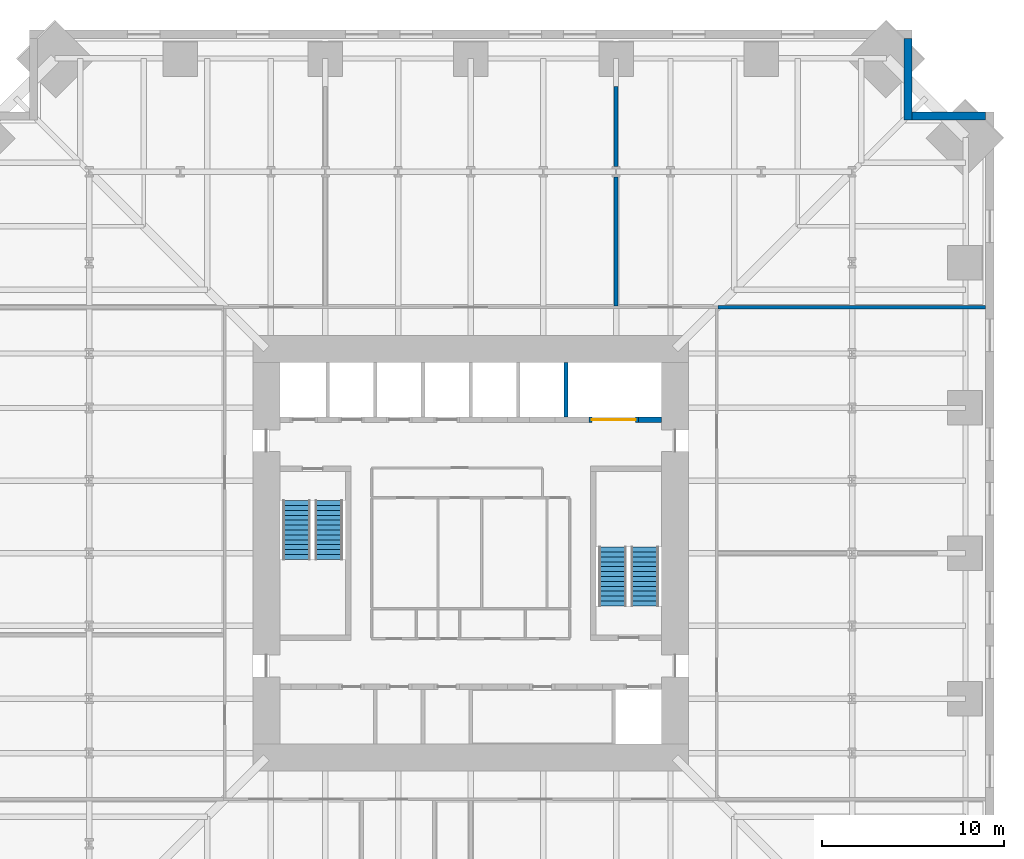
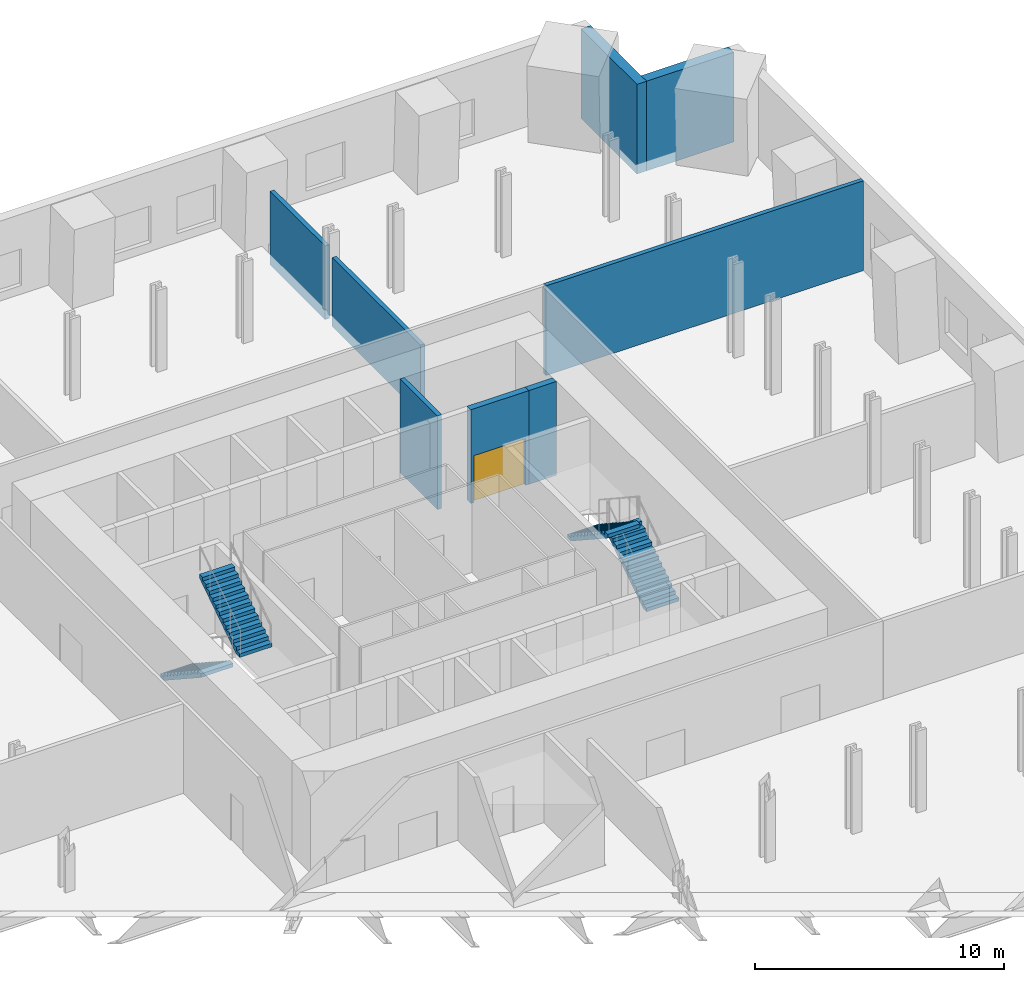
# One storey, part 7 of 8: 8 walls, 4 stair flights, 1 door, 1 opening, 2 elements without a shape of their own.
"""IFC4 building model written with IfcOpenShell, lengths in metres."""

from ifc_helpers import new_model, si_unit, direction, frame, frame_2d, origin, place, context, subcontext, project, spatial, polyline, rectangle, outline, extrude, material, layer, layer_set, type_object, element, fill, aggregate, save


model = new_model("IFC4")

# Units and contexts
model_context = context("Model", 3, precision=1e-05, world=origin(), true_north=direction((0.0, 1.0)))
body_context = subcontext(model_context, "Body", "Model", "MODEL_VIEW")
ifc_project = project(units=[si_unit("LENGTHUNIT", "METRE"), si_unit("AREAUNIT", "SQUARE_METRE"), si_unit("VOLUMEUNIT", "CUBIC_METRE"), si_unit("PLANEANGLEUNIT", "RADIAN"), si_unit("MASSUNIT", "GRAM", prefix="KILO")], contexts=[model_context])

# Site, building, storey
site_placement = place(None, origin())
site = spatial("IfcSite", under=ifc_project, at=site_placement, CompositionType="ELEMENT")
building_placement = place(site_placement, origin())
building = spatial("IfcBuilding", under=site, at=building_placement, Name="Peilmerk Tower", CompositionType="ELEMENT")
storey_placement = place(building_placement, frame((0.0, 0.0, 90.60009765625)))
storey = spatial("IfcBuildingStorey", under=building, at=storey_placement, Name="L17", CompositionType="ELEMENT", Elevation=90.60009765625)

# Walls
ifc_material_1 = material(Name="Precast concrete C45/55, board-marked finish", Category="concrete")
ifc_layer_1 = layer(ifc_material_1, 0.449951171875)
ifc_layer_set_1 = layer_set([ifc_layer_1], Name="Precast concrete C45/55, board-marked finish")
wall_type_1 = type_object("IfcWallType", Name="EW1 450 precast concrete facade wall, board-marked", PredefinedType="SOLIDWALL", material=ifc_layer_set_1)
wall_1_placement = place(storey_placement, frame((24.074951171875, 23.85009765625, 0.0), z_axis=(0.0, 0.0, 1.0), x_axis=(0.0, 1.0, 0.0)))
element("IfcWall", 1, at=wall_1_placement, inside=storey, type_object=wall_type_1, Name="Facade wall NEA L17", PredefinedType="SOLIDWALL", context=body_context, shape_type="SweptSolid", body=[
    extrude(rectangle(XDim=4.5, YDim=0.449951171875, at=frame_2d((2.25, 0.0))), origin(), (0.0, 0.0, 1.0), 4.39990234375),
])
wall_2_placement = place(storey_placement, frame((24.300048828125, 24.074951171875, 0.0), z_axis=(0.0, 0.0, 1.0), x_axis=(1.0, 0.0, 0.0)))
element("IfcWall", 2, at=wall_2_placement, inside=storey, type_object=wall_type_1, Name="Facade wall NEB L17", PredefinedType="SOLIDWALL", context=body_context, shape_type="SweptSolid", body=[
    extrude(rectangle(XDim=4.050048828125, YDim=0.449951171875, at=frame_2d((2.02490234375, 0.0))), origin(), (0.0, 0.0, 1.0), 4.39990234375),
])
ifc_material_2 = material(Name="Calcium silicate block", Category="masonry")
ifc_layer_2 = layer(ifc_material_2, 0.199951171875)
ifc_layer_set_2 = layer_set([ifc_layer_2], Name="Calcium silicate block")
wall_type_2 = type_object("IfcWallType", Name="IW2 200 room separating wall, EI 120", PredefinedType="PARTITIONING", material=ifc_layer_set_2)
wall_3_placement = place(storey_placement, frame((13.625, 13.550048828125, 0.0), z_axis=(0.0, 0.0, 1.0), x_axis=(1.0, 0.0, 0.0)))
element("IfcWall", 3, at=wall_3_placement, inside=storey, type_object=wall_type_2, Name="Room separating wall NE L17", PredefinedType="PARTITIONING", context=body_context, shape_type="SweptSolid", body=[
    extrude(rectangle(XDim=14.72509765625, YDim=0.199951171875, at=frame_2d((7.362548828125, 0.0))), origin(), (0.0, 0.0, 1.0), 4.39990234375),
])
wall_4_placement = place(storey_placement, frame((8.0, 13.625, 0.0), z_axis=(0.0, 0.0, 1.0), x_axis=(0.0, 1.0, 0.0)))
element("IfcWall", 4, at=wall_4_placement, inside=storey, type_object=wall_type_2, Name="Room separating wall N2 L17", PredefinedType="PARTITIONING", context=body_context, shape_type="SweptSolid", body=[
    extrude(rectangle(XDim=7.090576171875, YDim=0.199951171875, at=frame_2d((3.54541015625, 0.0))), origin(), (0.0, 0.0, 1.0), 3.391845703125),
])
wall_5_placement = place(storey_placement, frame((8.0, 21.284423828125, 0.0), z_axis=(0.0, 0.0, 1.0), x_axis=(0.0, 1.0, 0.0)))
element("IfcWall", 5, at=wall_5_placement, inside=storey, type_object=wall_type_2, Name="Room separating wall N2b L17", PredefinedType="PARTITIONING", context=body_context, shape_type="SweptSolid", body=[
    extrude(rectangle(XDim=4.43017578125, YDim=0.199951171875, at=frame_2d((2.215087890625, 0.0))), origin(), (0.0, 0.0, 1.0), 3.60986328125),
])
ifc_layer_3 = layer(ifc_material_2, 0.199951171875)
ifc_layer_set_3 = layer_set([ifc_layer_3], Name="Calcium silicate block")
wall_type_3 = type_object("IfcWallType", Name="SH1 200 shaft dividing wall, EI 120", PredefinedType="PARTITIONING", material=ifc_layer_set_3)
wall_6_placement = place(storey_placement, frame((5.25, 7.5, 0.0), z_axis=(0.0, 0.0, 1.0), x_axis=(0.0, 1.0, 0.0)))
element("IfcWall", 6, at=wall_6_placement, inside=storey, type_object=wall_type_3, Name="Shaft wall N S2 L17", PredefinedType="PARTITIONING", context=body_context, shape_type="SweptSolid", body=[
    extrude(rectangle(XDim=3.0, YDim=0.199951171875, at=frame_2d((1.5, 0.0))), origin(), (0.0, 0.0, 1.0), 4.599853515625),
])

# Wall, opening, door
ifc_layer_4 = layer(ifc_material_2, 0.300048828125)
ifc_layer_set_4 = layer_set([ifc_layer_4], Name="Calcium silicate block")
wall_type_4 = type_object("IfcWallType", Name="SH2 300 lift landing door panel, EI 120", PredefinedType="PARTITIONING", material=ifc_layer_set_4)
wall_7_placement = place(storey_placement, frame((6.52490234375, 7.35009765625, 0.0), z_axis=(0.0, 0.0, 1.0), x_axis=(1.0, 0.0, 0.0)))
wall_7 = element("IfcWall", 7, at=wall_7_placement, inside=storey, type_object=wall_type_4, Name="Lift door panel N GL1 L17", PredefinedType="PARTITIONING", context=body_context, shape_type="SweptSolid", body=[
    extrude(rectangle(XDim=2.7001953125, YDim=0.300048828125, at=frame_2d((1.35009765625, 0.0))), origin(), (0.0, 0.0, 1.0), 4.599853515625),
])
opening_placement = place(wall_7_placement, frame((0.14990234375, 0.0, 0.0)))
opening = element("IfcOpeningElement", 8, at=opening_placement, cuts=wall_7, Name="Opening LD3", PredefinedType="OPENING", context=body_context, shape_type="SweptSolid", body=[
    extrude(rectangle(XDim=2.39990234375, YDim=2.300048828125, at=frame_2d((1.199951171875, 1.14990234375))), frame((0.0, 0.159912109375, 0.0), z_axis=(0.0, -1.0, 0.0), x_axis=(1.0, 0.0, 0.0)), (0.0, 0.0, 1.0), 0.320068359375),
])
ifc_material_3 = material(Name="Stainless steel landing door", Category="steel")
door_type = type_object("IfcDoorType", Name="LD3 2400x2300 lift landing door, sliding, EI2 60", OperationType="SLIDING_TO_LEFT", PredefinedType="DOOR", material=ifc_material_3)
door_placement = place(opening_placement, frame((2.39990234375, 0.0, 0.0), z_axis=(0.0, 0.0, 1.0), x_axis=(-1.0, 0.0, 0.0)))
door = element("IfcDoor", 9, at=door_placement, inside=storey, type_object=door_type, Name="Lift landing door GL1 L17", OperationType="SLIDING_TO_LEFT", OverallHeight=2.300048828125, OverallWidth=2.39990234375, PredefinedType="DOOR", context=body_context, shape_type="SweptSolid", body=[
    extrude(rectangle(XDim=2.39990234375, YDim=2.300048828125, at=frame_2d((1.199951171875, 1.14990234375))), frame((0.0, 0.02490234375, 0.0), z_axis=(0.0, -1.0, 0.0), x_axis=(1.0, 0.0, 0.0)), (0.0, 0.0, 1.0), 0.050048828125),
])
fill(opening, door)

# Wall
ifc_material_4 = material(Name="Concrete C55/67", Category="concrete")
ifc_layer_5 = layer(ifc_material_4, 0.300048828125)
ifc_layer_set_5 = layer_set([ifc_layer_5], Name="Concrete C55/67")
wall_type_5 = type_object("IfcWallType", Name="SW2 300 lift bank pier", PredefinedType="SHEAR", material=ifc_layer_set_5)
wall_8_placement = place(storey_placement, frame((9.22509765625, 7.35009765625, 0.0), z_axis=(0.0, 0.0, 1.0), x_axis=(1.0, 0.0, 0.0)))
element("IfcWall", 10, at=wall_8_placement, inside=storey, type_object=wall_type_5, Name="Lift bank pier N L17", PredefinedType="SHEAR", context=body_context, shape_type="SweptSolid", body=[
    extrude(rectangle(XDim=1.27490234375, YDim=0.300048828125, at=frame_2d((0.637451171875, 0.0))), origin(), (0.0, 0.0, 1.0), 4.599853515625),
])

# Stair, stair flights
ifc_material_5 = material(Name="Precast concrete C45/55", Category="concrete")
stair_type_1 = type_object("IfcStairType", Name="ST1 26 risers of 176.9", PredefinedType="HALF_TURN_STAIR", material=ifc_material_5)
stair_1_placement = place(storey_placement, origin())
stair_1 = element("IfcStair", 11, at=stair_1_placement, inside=storey, type_object=stair_type_1, Name="Stair 1 L17 to L18", PredefinedType="HALF_TURN_STAIR")
stair_flight_type = type_object("IfcStairFlightType", Name="SF13 flight, 13 risers of 176.9", PredefinedType="STRAIGHT", material=ifc_material_5)
stair_flight_1_placement = place(storey_placement, frame((-9.60009765625, 2.89990234375, 0.0), z_axis=(0.0, 0.0, 1.0), x_axis=(0.0, -1.0, 0.0)))
stair_flight_1 = element("IfcStairFlight", 12, at=stair_flight_1_placement, type_object=stair_flight_type, Name="ST1 flight 1", NumberOfRisers=13, NumberOfTreads=12, PredefinedType="STRAIGHT", RiserHeight=0.176923077, TreadLength=0.27, context=body_context, shape_type="SweptSolid", body=[
    extrude(outline(polyline([(0.0, 0.0), (0.0, 0.177001953125), (0.27001953125, 0.177001953125), (0.27001953125, 0.353759765625), (0.5400390625, 0.353759765625), (0.5400390625, 0.53076171875), (0.81005859375, 0.53076171875), (0.81005859375, 0.707763671875), (1.080078125, 0.707763671875), (1.080078125, 0.884521484375), (1.35009765625, 0.884521484375), (1.35009765625, 1.0615234375), (1.6201171875, 1.0615234375), (1.6201171875, 1.238525390625), (1.889892578125, 1.238525390625), (1.889892578125, 1.415283203125), (2.159912109375, 1.415283203125), (2.159912109375, 1.59228515625), (2.429931640625, 1.59228515625), (2.429931640625, 1.769287109375), (2.699951171875, 1.769287109375), (2.699951171875, 1.946044921875), (2.969970703125, 1.946044921875), (2.969970703125, 2.123046875), (3.239990234375, 2.123046875), (3.239990234375, 2.300048828125), (3.239990234375, 1.94384765625), (0.2734375, 0.0), (0.0, 0.0)])), frame((0.0, 0.75, 0.0), z_axis=(0.0, -1.0, 0.0), x_axis=(1.0, 0.0, 0.0)), (0.0, 0.0, 1.0), 1.5),
])
stair_flight_2_placement = place(storey_placement, frame((-7.800048828125, -0.340087890625, 2.2998046875), z_axis=(0.0, 0.0, 1.0), x_axis=(0.0, 1.0, 0.0)))
stair_flight_2 = element("IfcStairFlight", 13, at=stair_flight_2_placement, type_object=stair_flight_type, Name="ST1 flight 2", NumberOfRisers=13, NumberOfTreads=12, PredefinedType="STRAIGHT", RiserHeight=0.176923077, TreadLength=0.27, context=body_context, shape_type="SweptSolid", body=[
    extrude(outline(polyline([(0.0, 0.0), (0.0, 0.177001953125), (0.27001953125, 0.177001953125), (0.27001953125, 0.353759765625), (0.5400390625, 0.353759765625), (0.5400390625, 0.53076171875), (0.81005859375, 0.53076171875), (0.81005859375, 0.707763671875), (1.080078125, 0.707763671875), (1.080078125, 0.884521484375), (1.35009765625, 0.884521484375), (1.35009765625, 1.0615234375), (1.6201171875, 1.0615234375), (1.6201171875, 1.238525390625), (1.889892578125, 1.238525390625), (1.889892578125, 1.415283203125), (2.159912109375, 1.415283203125), (2.159912109375, 1.59228515625), (2.429931640625, 1.59228515625), (2.429931640625, 1.769287109375), (2.699951171875, 1.769287109375), (2.699951171875, 1.946044921875), (2.969970703125, 1.946044921875), (2.969970703125, 2.123046875), (3.239990234375, 2.123046875), (3.239990234375, 2.300048828125), (3.239990234375, 1.94384765625), (0.2734375, 0.0), (0.0, 0.0)])), frame((0.0, 0.75, 0.0), z_axis=(0.0, -1.0, 0.0), x_axis=(1.0, 0.0, 0.0)), (0.0, 0.0, 1.0), 1.5),
])
aggregate(stair_1, [stair_flight_1, stair_flight_2])

stair_type_2 = type_object("IfcStairType", Name="ST2 26 risers of 176.9", PredefinedType="HALF_TURN_STAIR", material=ifc_material_5)
stair_2_placement = place(storey_placement, origin())
stair_2 = element("IfcStair", 14, at=stair_2_placement, inside=storey, type_object=stair_type_2, Name="Stair 2 L17 to L18", PredefinedType="HALF_TURN_STAIR")
stair_flight_3_placement = place(storey_placement, frame((9.60009765625, -2.89990234375, 0.0), z_axis=(0.0, 0.0, 1.0), x_axis=(0.0, 1.0, 0.0)))
stair_flight_3 = element("IfcStairFlight", 15, at=stair_flight_3_placement, type_object=stair_flight_type, Name="ST2 flight 1", NumberOfRisers=13, NumberOfTreads=12, PredefinedType="STRAIGHT", RiserHeight=0.176923077, TreadLength=0.27, context=body_context, shape_type="SweptSolid", body=[
    extrude(outline(polyline([(0.0, 0.0), (0.0, 0.177001953125), (0.27001953125, 0.177001953125), (0.27001953125, 0.353759765625), (0.5400390625, 0.353759765625), (0.5400390625, 0.53076171875), (0.81005859375, 0.53076171875), (0.81005859375, 0.707763671875), (1.080078125, 0.707763671875), (1.080078125, 0.884521484375), (1.35009765625, 0.884521484375), (1.35009765625, 1.0615234375), (1.6201171875, 1.0615234375), (1.6201171875, 1.238525390625), (1.889892578125, 1.238525390625), (1.889892578125, 1.415283203125), (2.159912109375, 1.415283203125), (2.159912109375, 1.59228515625), (2.429931640625, 1.59228515625), (2.429931640625, 1.769287109375), (2.699951171875, 1.769287109375), (2.699951171875, 1.946044921875), (2.969970703125, 1.946044921875), (2.969970703125, 2.123046875), (3.239990234375, 2.123046875), (3.239990234375, 2.300048828125), (3.239990234375, 1.94384765625), (0.2734375, 0.0), (0.0, 0.0)])), frame((0.0, 0.75, 0.0), z_axis=(0.0, -1.0, 0.0), x_axis=(1.0, 0.0, 0.0)), (0.0, 0.0, 1.0), 1.5),
])
stair_flight_4_placement = place(storey_placement, frame((7.800048828125, 0.340087890625, 2.2998046875), z_axis=(0.0, 0.0, 1.0), x_axis=(0.0, -1.0, 0.0)))
stair_flight_4 = element("IfcStairFlight", 16, at=stair_flight_4_placement, type_object=stair_flight_type, Name="ST2 flight 2", NumberOfRisers=13, NumberOfTreads=12, PredefinedType="STRAIGHT", RiserHeight=0.176923077, TreadLength=0.27, context=body_context, shape_type="SweptSolid", body=[
    extrude(outline(polyline([(0.0, 0.0), (0.0, 0.177001953125), (0.27001953125, 0.177001953125), (0.27001953125, 0.353759765625), (0.5400390625, 0.353759765625), (0.5400390625, 0.53076171875), (0.81005859375, 0.53076171875), (0.81005859375, 0.707763671875), (1.080078125, 0.707763671875), (1.080078125, 0.884521484375), (1.35009765625, 0.884521484375), (1.35009765625, 1.0615234375), (1.6201171875, 1.0615234375), (1.6201171875, 1.238525390625), (1.889892578125, 1.238525390625), (1.889892578125, 1.415283203125), (2.159912109375, 1.415283203125), (2.159912109375, 1.59228515625), (2.429931640625, 1.59228515625), (2.429931640625, 1.769287109375), (2.699951171875, 1.769287109375), (2.699951171875, 1.946044921875), (2.969970703125, 1.946044921875), (2.969970703125, 2.123046875), (3.239990234375, 2.123046875), (3.239990234375, 2.300048828125), (3.239990234375, 1.94384765625), (0.2734375, 0.0), (0.0, 0.0)])), frame((0.0, 0.75, 0.0), z_axis=(0.0, -1.0, 0.0), x_axis=(1.0, 0.0, 0.0)), (0.0, 0.0, 1.0), 1.5),
])
aggregate(stair_2, [stair_flight_3, stair_flight_4])

save(model, "model.ifc")
